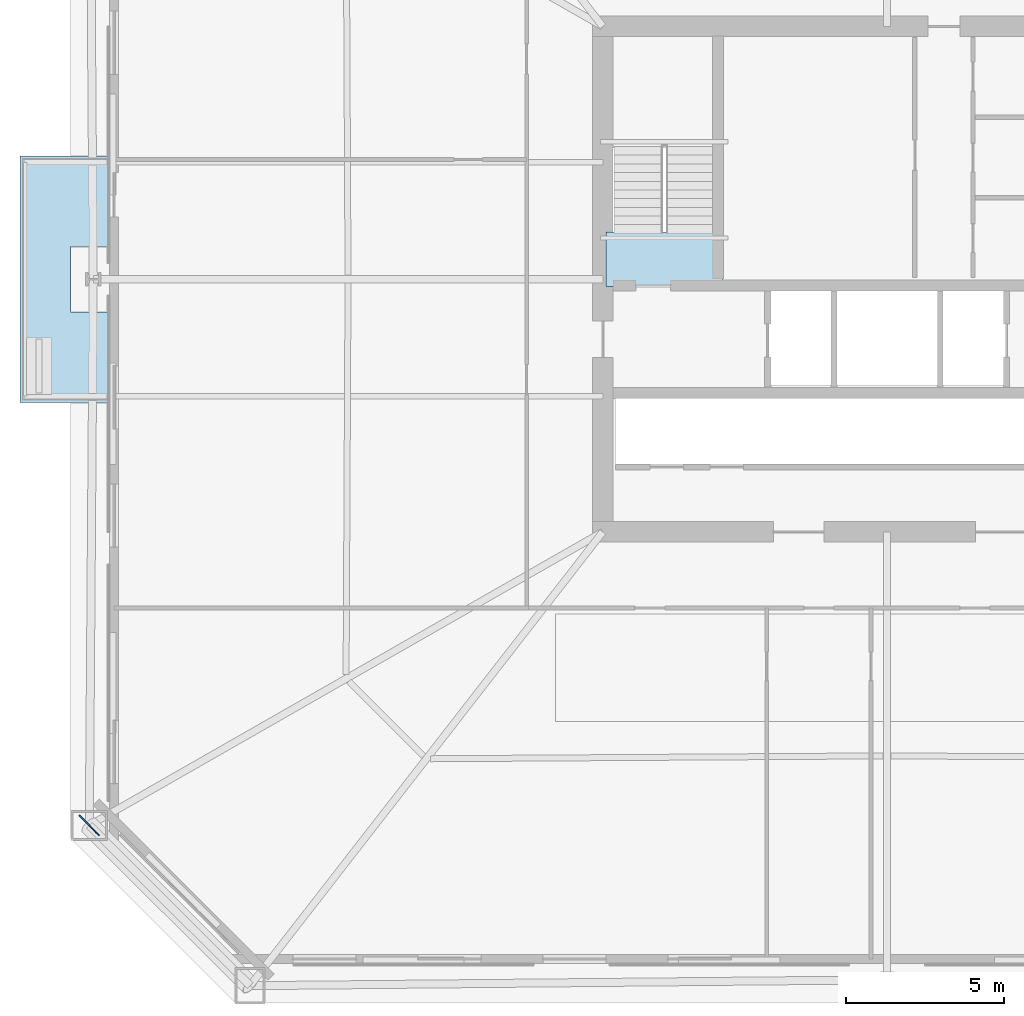
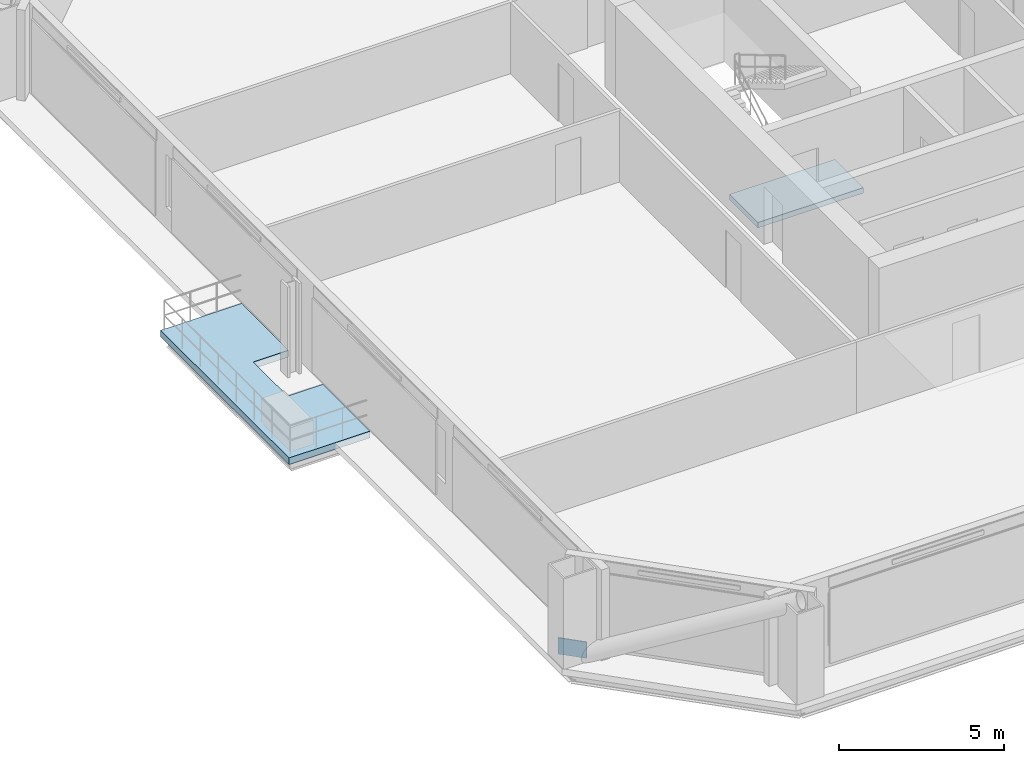
# One storey, part 2 of 11: 2 slabs, 1 plate, 1 element without a shape of its own.
"""IFC4 building model written with IfcOpenShell, lengths in metres."""

from ifc_helpers import new_model, si_unit, direction, frame, origin, origin_2d, place, context, subcontext, project, spatial, polyline, rectangle, outline, extrude, material, layer, layer_set, type_object, element, aggregate, save


model = new_model("IFC4")

# Units and contexts
model_context = context("Model", 3, precision=1e-05, world=origin(), true_north=direction((0.0, 1.0)))
body_context = subcontext(model_context, "Body", "Model", "MODEL_VIEW")
ifc_project = project(units=[si_unit("LENGTHUNIT", "METRE"), si_unit("AREAUNIT", "SQUARE_METRE"), si_unit("VOLUMEUNIT", "CUBIC_METRE"), si_unit("PLANEANGLEUNIT", "RADIAN"), si_unit("MASSUNIT", "GRAM", prefix="KILO")], contexts=[model_context])

# Site, building, storey
site_placement = place(None, origin())
site = spatial("IfcSite", under=ifc_project, at=site_placement, CompositionType="ELEMENT")
building_placement = place(site_placement, origin())
building = spatial("IfcBuilding", under=site, at=building_placement, Name="Caelvoria Tower", CompositionType="ELEMENT")
storey_placement = place(building_placement, frame((0.0, 0.0, 64.0)))
storey = spatial("IfcBuildingStorey", under=building, at=storey_placement, Name="L16", CompositionType="ELEMENT", Elevation=64.0)

# Plate
ifc_material_1 = material(Name="Structural Steel ASTM A572 Gr.50", Category="steel")
ifc_layer_1 = layer(ifc_material_1, 0.0400390625, Name="Structural Steel ASTM A572 Gr.50")
ifc_layer_set_1 = layer_set([ifc_layer_1], Name="Megaframe Node Gusset Plate 900x600x40 - Structural Steel ASTM A572 Gr.50")
plate_type = type_object("IfcPlateType", Name="Megaframe Node Gusset Plate 900x600x40", PredefinedType="USERDEFINED", material=ifc_layer_set_1)
plate_placement = place(storey_placement, frame((20.744140625, 14.706787109375, 0.02001953125), z_axis=(0.0, 0.0, 1.0), x_axis=(0.70821909349, -0.705992716404, 0.0)))
element("IfcPlate", 1, at=plate_placement, inside=storey, type_object=plate_type, Name="Chamfer Mega Brace Gusset L16 SW", ObjectType="GUSSET_PLATE", PredefinedType="USERDEFINED", context=body_context, shape_type="SweptSolid", body=[
    extrude(rectangle(XDim=0.89990234375, YDim=0.0400390625, at=origin_2d()), origin(), (0.0, 0.0, 1.0), 0.60009765625),
])

# Stair, slab
ifc_material_2 = material(Name="Concrete C40/50", Category="concrete")
stair_type = type_object("IfcStairType", Name="Core Smokeproof Dogleg Stair Concrete C40/50", PredefinedType="HALF_TURN_STAIR", material=ifc_material_2)
stair_placement = place(storey_placement, origin())
stair = element("IfcStair", 2, at=stair_placement, inside=storey, type_object=stair_type, Name="ST-01 Smokeproof Exit Stair L16", PredefinedType="HALF_TURN_STAIR")
ifc_layer_2 = layer(ifc_material_2, 0.199951171875, Name="Concrete C40/50")
ifc_layer_set_2 = layer_set([ifc_layer_2], Name="Stair Half and Floor Landing Slab 200 Concrete C40/50 - Concrete C40/50")
slab_type_1 = type_object("IfcSlabType", Name="Stair Half and Floor Landing Slab 200 Concrete C40/50", PredefinedType="LANDING", material=ifc_layer_set_2)
slab_1_placement = place(storey_placement, frame((0.0, 0.0, -0.199951171875)))
slab_1 = element("IfcSlab", 3, at=slab_1_placement, type_object=slab_type_1, Name="ST-01 landing 1", PredefinedType="LANDING", context=body_context, shape_type="SweptSolid", body=[
    extrude(outline(polyline([(37.10009765625, 31.77001953125), (40.800048828125, 31.77001953125), (40.800048828125, 33.5), (37.10009765625, 33.5), (37.10009765625, 31.77001953125)])), origin(), (0.0, 0.0, 1.0), 0.199951171875),
])
aggregate(stair, [slab_1])

# Slab
ifc_material_3 = material(Name="Concrete C45/55", Category="concrete")
ifc_layer_3 = layer(ifc_material_3, 0.25, Name="Concrete C45/55")
ifc_layer_set_3 = layer_set([ifc_layer_3], Name="Tree Balcony Structural Planter Slab 250 - Concrete C45/55")
slab_type_2 = type_object("IfcSlabType", Name="Tree Balcony Structural Planter Slab 250", PredefinedType="FLOOR", material=ifc_layer_set_3)
slab_2_placement = place(storey_placement, frame((0.0, 0.0, -0.25)))
element("IfcSlab", 4, at=slab_2_placement, inside=storey, type_object=slab_type_2, Name="Tree Balcony Slab TB-L16-W", PredefinedType="FLOOR", context=body_context, shape_type="SweptSolid", body=[
    extrude(outline(polyline([(18.550048828125, 28.10009765625), (20.14990234375, 28.10009765625), (21.389892578125, 28.10009765625), (21.389892578125, 30.9599609375), (20.14990234375, 30.9599609375), (20.14990234375, 33.0400390625), (21.389892578125, 33.0400390625), (21.389892578125, 35.89990234375), (20.14990234375, 35.89990234375), (18.550048828125, 35.89990234375), (18.550048828125, 28.10009765625)])), origin(), (0.0, 0.0, 1.0), 0.25),
])

save(model, "model.ifc")
